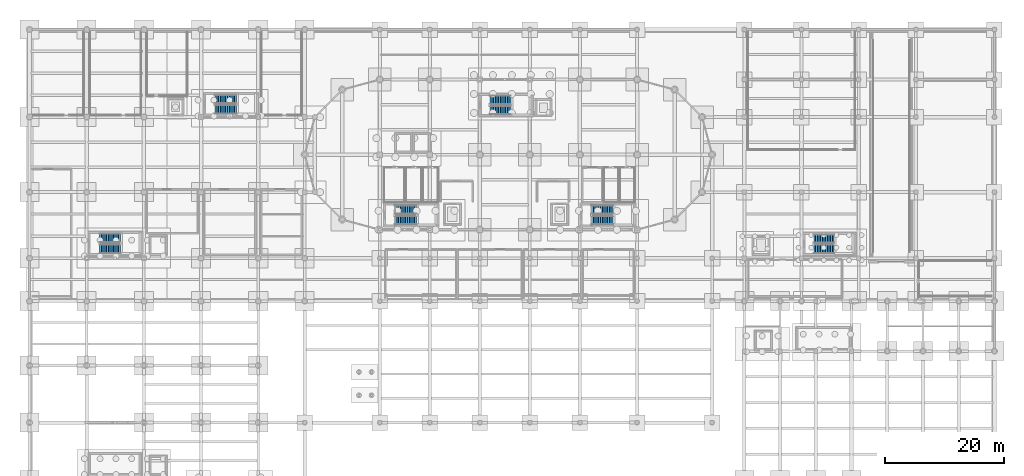
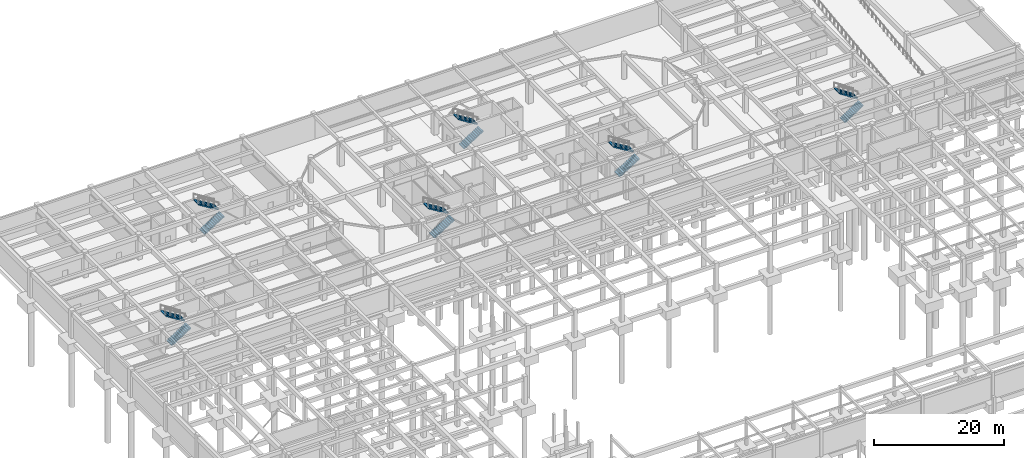
# One storey, part 29 of 37: 12 stair flights, 6 elements without a shape of their own.
"""IFC4 building model written with IfcOpenShell, lengths in metres."""

from ifc_helpers import new_model, si_unit, direction, frame, origin, place, context, subcontext, project, spatial, polyline, outline, extrude, material, type_object, element, aggregate, save


model = new_model("IFC4")

# Units and contexts
model_context = context("Model", 3, precision=1e-05, world=origin(), true_north=direction((0.0, 1.0)))
body_context = subcontext(model_context, "Body", "Model", "MODEL_VIEW")
ifc_project = project(units=[si_unit("LENGTHUNIT", "METRE"), si_unit("AREAUNIT", "SQUARE_METRE"), si_unit("VOLUMEUNIT", "CUBIC_METRE"), si_unit("PLANEANGLEUNIT", "RADIAN"), si_unit("MASSUNIT", "GRAM", prefix="KILO")], contexts=[model_context])

# Site, building, storey
site_placement = place(None, origin())
site = spatial("IfcSite", under=ifc_project, at=site_placement, CompositionType="ELEMENT")
building_placement = place(site_placement, origin())
building = spatial("IfcBuilding", under=site, at=building_placement, Name="Tarnavel Promenade Courthouse", CompositionType="ELEMENT")
storey_placement = place(building_placement, frame((0.0, 0.0, -4.800048828125)))
storey = spatial("IfcBuildingStorey", under=building, at=storey_placement, Name="B01", CompositionType="ELEMENT", Elevation=-4.800048828125)

# Stair, stair flights
ifc_material = material(Name="Concrete C35/45", Category="concrete")
stair_type_1 = type_object("IfcStairType", Name="Concrete C35/45 Half-Turn Stair STR-01 (1560W-300G-26R)", PredefinedType="HALF_TURN_STAIR", material=ifc_material)
stair_1_placement = place(storey_placement, origin())
stair_1 = element("IfcStair", 1, at=stair_1_placement, inside=storey, type_object=stair_type_1, Name="B01 West Bar Firefighting Exit Stair", PredefinedType="HALF_TURN_STAIR")
stair_flight_type_1 = type_object("IfcStairFlightType", Name="Concrete C35/45 Stair Flight STF-01 (1560W-300G-26R)", PredefinedType="STRAIGHT", material=ifc_material)
stair_flight_1_placement = place(storey_placement, frame((61.360107421875, 80.780029296875, 0.0), z_axis=(0.0, 0.0, 1.0), x_axis=(1.0, 0.0, 0.0)))
stair_flight_1 = element("IfcStairFlight", 2, at=stair_flight_1_placement, type_object=stair_flight_type_1, Name="ST-01 flight 1", NumberOfRisers=13, NumberOfTreads=12, PredefinedType="STRAIGHT", RiserHeight=0.184615385, TreadLength=0.3, context=body_context, shape_type="SweptSolid", body=[
    extrude(outline(polyline([(0.0, 0.0), (0.0, 0.1845703125), (0.300048828125, 0.1845703125), (0.300048828125, 0.369140625), (0.60009765625, 0.369140625), (0.60009765625, 0.553955078125), (0.89990234375, 0.553955078125), (0.89990234375, 0.738525390625), (1.199951171875, 0.738525390625), (1.199951171875, 0.923095703125), (1.5, 0.923095703125), (1.5, 1.107666015625), (1.800048828125, 1.107666015625), (1.800048828125, 1.292236328125), (2.10009765625, 1.292236328125), (2.10009765625, 1.476806640625), (2.39990234375, 1.476806640625), (2.39990234375, 1.66162109375), (2.699951171875, 1.66162109375), (2.699951171875, 1.84619140625), (3.0, 1.84619140625), (3.0, 2.03076171875), (3.300048828125, 2.03076171875), (3.300048828125, 2.21533203125), (3.60009765625, 2.21533203125), (3.60009765625, 2.39990234375), (3.60009765625, 2.039306640625), (0.2861328125, 0.0), (0.0, 0.0)])), frame((0.0, 0.780029296875, 0.0), z_axis=(0.0, -1.0, 0.0), x_axis=(1.0, 0.0, 0.0)), (0.0, 0.0, 1.0), 1.56005859375),
])
stair_flight_2_placement = place(storey_placement, frame((64.9599609375, 82.5400390625, 2.400146484375), z_axis=(0.0, 0.0, 1.0), x_axis=(-1.0, 0.0, 0.0)))
stair_flight_2 = element("IfcStairFlight", 3, at=stair_flight_2_placement, type_object=stair_flight_type_1, Name="ST-01 flight 2", NumberOfRisers=13, NumberOfTreads=12, PredefinedType="STRAIGHT", RiserHeight=0.184615385, TreadLength=0.3, context=body_context, shape_type="SweptSolid", body=[
    extrude(outline(polyline([(0.0, 0.0), (0.0, 0.1845703125), (0.300048828125, 0.1845703125), (0.300048828125, 0.369140625), (0.60009765625, 0.369140625), (0.60009765625, 0.553955078125), (0.89990234375, 0.553955078125), (0.89990234375, 0.738525390625), (1.199951171875, 0.738525390625), (1.199951171875, 0.923095703125), (1.5, 0.923095703125), (1.5, 1.107666015625), (1.800048828125, 1.107666015625), (1.800048828125, 1.292236328125), (2.10009765625, 1.292236328125), (2.10009765625, 1.476806640625), (2.39990234375, 1.476806640625), (2.39990234375, 1.66162109375), (2.699951171875, 1.66162109375), (2.699951171875, 1.84619140625), (3.0, 1.84619140625), (3.0, 2.03076171875), (3.300048828125, 2.03076171875), (3.300048828125, 2.21533203125), (3.60009765625, 2.21533203125), (3.60009765625, 2.39990234375), (3.60009765625, 2.039306640625), (0.2861328125, 0.0), (0.0, 0.0)])), frame((0.0, 0.780029296875, 0.0), z_axis=(0.0, -1.0, 0.0), x_axis=(1.0, 0.0, 0.0)), (0.0, 0.0, 1.0), 1.56005859375),
])
aggregate(stair_1, [stair_flight_1, stair_flight_2])

stair_2_placement = place(storey_placement, origin())
stair_2 = element("IfcStair", 4, at=stair_2_placement, inside=storey, type_object=stair_type_1, Name="B01 East Bar Firefighting Exit Stair", PredefinedType="HALF_TURN_STAIR")
stair_flight_3_placement = place(storey_placement, frame((94.360107421875, 80.780029296875, 0.0), z_axis=(0.0, 0.0, 1.0), x_axis=(1.0, 0.0, 0.0)))
stair_flight_3 = element("IfcStairFlight", 5, at=stair_flight_3_placement, type_object=stair_flight_type_1, Name="ST-02 flight 1", NumberOfRisers=13, NumberOfTreads=12, PredefinedType="STRAIGHT", RiserHeight=0.184615385, TreadLength=0.3, context=body_context, shape_type="SweptSolid", body=[
    extrude(outline(polyline([(0.0, 0.0), (0.0, 0.1845703125), (0.300048828125, 0.1845703125), (0.300048828125, 0.369140625), (0.60009765625, 0.369140625), (0.60009765625, 0.553955078125), (0.89990234375, 0.553955078125), (0.89990234375, 0.738525390625), (1.199951171875, 0.738525390625), (1.199951171875, 0.923095703125), (1.5, 0.923095703125), (1.5, 1.107666015625), (1.800048828125, 1.107666015625), (1.800048828125, 1.292236328125), (2.10009765625, 1.292236328125), (2.10009765625, 1.476806640625), (2.39990234375, 1.476806640625), (2.39990234375, 1.66162109375), (2.699951171875, 1.66162109375), (2.699951171875, 1.84619140625), (3.0, 1.84619140625), (3.0, 2.03076171875), (3.300048828125, 2.03076171875), (3.300048828125, 2.21533203125), (3.60009765625, 2.21533203125), (3.60009765625, 2.39990234375), (3.60009765625, 2.039306640625), (0.2861328125, 0.0), (0.0, 0.0)])), frame((0.0, 0.780029296875, 0.0), z_axis=(0.0, -1.0, 0.0), x_axis=(1.0, 0.0, 0.0)), (0.0, 0.0, 1.0), 1.56005859375),
])
stair_flight_4_placement = place(storey_placement, frame((97.9599609375, 82.5400390625, 2.400146484375), z_axis=(0.0, 0.0, 1.0), x_axis=(-1.0, 0.0, 0.0)))
stair_flight_4 = element("IfcStairFlight", 6, at=stair_flight_4_placement, type_object=stair_flight_type_1, Name="ST-02 flight 2", NumberOfRisers=13, NumberOfTreads=12, PredefinedType="STRAIGHT", RiserHeight=0.184615385, TreadLength=0.3, context=body_context, shape_type="SweptSolid", body=[
    extrude(outline(polyline([(0.0, 0.0), (0.0, 0.1845703125), (0.300048828125, 0.1845703125), (0.300048828125, 0.369140625), (0.60009765625, 0.369140625), (0.60009765625, 0.553955078125), (0.89990234375, 0.553955078125), (0.89990234375, 0.738525390625), (1.199951171875, 0.738525390625), (1.199951171875, 0.923095703125), (1.5, 0.923095703125), (1.5, 1.107666015625), (1.800048828125, 1.107666015625), (1.800048828125, 1.292236328125), (2.10009765625, 1.292236328125), (2.10009765625, 1.476806640625), (2.39990234375, 1.476806640625), (2.39990234375, 1.66162109375), (2.699951171875, 1.66162109375), (2.699951171875, 1.84619140625), (3.0, 1.84619140625), (3.0, 2.03076171875), (3.300048828125, 2.03076171875), (3.300048828125, 2.21533203125), (3.60009765625, 2.21533203125), (3.60009765625, 2.39990234375), (3.60009765625, 2.039306640625), (0.2861328125, 0.0), (0.0, 0.0)])), frame((0.0, 0.780029296875, 0.0), z_axis=(0.0, -1.0, 0.0), x_axis=(1.0, 0.0, 0.0)), (0.0, 0.0, 1.0), 1.56005859375),
])
aggregate(stair_2, [stair_flight_3, stair_flight_4])

stair_type_2 = type_object("IfcStairType", Name="Concrete C35/45 Half-Turn Stair STR-04 (1520W-290G-26R)", PredefinedType="HALF_TURN_STAIR", material=ifc_material)
stair_3_placement = place(storey_placement, origin())
stair_3 = element("IfcStair", 7, at=stair_3_placement, inside=storey, type_object=stair_type_2, Name="B01 Central Judicial Chambers Exit Stair", PredefinedType="HALF_TURN_STAIR")
stair_flight_type_2 = type_object("IfcStairFlightType", Name="Concrete C35/45 Stair Flight STF-04 (1520W-290G-26R)", PredefinedType="STRAIGHT", material=ifc_material)
stair_flight_5_placement = place(storey_placement, frame((77.320068359375, 99.260009765625, 0.0), z_axis=(0.0, 0.0, 1.0), x_axis=(1.0, 0.0, 0.0)))
stair_flight_5 = element("IfcStairFlight", 8, at=stair_flight_5_placement, type_object=stair_flight_type_2, Name="ST-03 flight 1", NumberOfRisers=13, NumberOfTreads=12, PredefinedType="STRAIGHT", RiserHeight=0.184615385, TreadLength=0.29, context=body_context, shape_type="SweptSolid", body=[
    extrude(outline(polyline([(0.0, 0.0), (0.0, 0.1845703125), (0.2900390625, 0.1845703125), (0.2900390625, 0.369140625), (0.580078125, 0.369140625), (0.580078125, 0.553955078125), (0.8701171875, 0.553955078125), (0.8701171875, 0.738525390625), (1.159912109375, 0.738525390625), (1.159912109375, 0.923095703125), (1.449951171875, 0.923095703125), (1.449951171875, 1.107666015625), (1.739990234375, 1.107666015625), (1.739990234375, 1.292236328125), (2.030029296875, 1.292236328125), (2.030029296875, 1.476806640625), (2.320068359375, 1.476806640625), (2.320068359375, 1.66162109375), (2.610107421875, 1.66162109375), (2.610107421875, 1.84619140625), (2.89990234375, 1.84619140625), (2.89990234375, 2.03076171875), (3.18994140625, 2.03076171875), (3.18994140625, 2.21533203125), (3.47998046875, 2.21533203125), (3.47998046875, 2.39990234375), (3.47998046875, 2.03759765625), (0.279052734375, 0.0), (0.0, 0.0)])), frame((0.0, 0.760009765625, 0.0), z_axis=(0.0, -1.0, 0.0), x_axis=(1.0, 0.0, 0.0)), (0.0, 0.0, 1.0), 1.52001953125),
])
stair_flight_6_placement = place(storey_placement, frame((80.800048828125, 100.97998046875, 2.400146484375), z_axis=(0.0, 0.0, 1.0), x_axis=(-1.0, 0.0, 0.0)))
stair_flight_6 = element("IfcStairFlight", 9, at=stair_flight_6_placement, type_object=stair_flight_type_2, Name="ST-03 flight 2", NumberOfRisers=13, NumberOfTreads=12, PredefinedType="STRAIGHT", RiserHeight=0.184615385, TreadLength=0.29, context=body_context, shape_type="SweptSolid", body=[
    extrude(outline(polyline([(0.0, 0.0), (0.0, 0.1845703125), (0.2900390625, 0.1845703125), (0.2900390625, 0.369140625), (0.580078125, 0.369140625), (0.580078125, 0.553955078125), (0.8701171875, 0.553955078125), (0.8701171875, 0.738525390625), (1.159912109375, 0.738525390625), (1.159912109375, 0.923095703125), (1.449951171875, 0.923095703125), (1.449951171875, 1.107666015625), (1.739990234375, 1.107666015625), (1.739990234375, 1.292236328125), (2.030029296875, 1.292236328125), (2.030029296875, 1.476806640625), (2.320068359375, 1.476806640625), (2.320068359375, 1.66162109375), (2.610107421875, 1.66162109375), (2.610107421875, 1.84619140625), (2.89990234375, 1.84619140625), (2.89990234375, 2.03076171875), (3.18994140625, 2.03076171875), (3.18994140625, 2.21533203125), (3.47998046875, 2.21533203125), (3.47998046875, 2.39990234375), (3.47998046875, 2.03759765625), (0.279052734375, 0.0), (0.0, 0.0)])), frame((0.0, 0.760009765625, 0.0), z_axis=(0.0, -1.0, 0.0), x_axis=(1.0, 0.0, 0.0)), (0.0, 0.0, 1.0), 1.52001953125),
])
aggregate(stair_3, [stair_flight_5, stair_flight_6])

stair_type_3 = type_object("IfcStairType", Name="Concrete C35/45 Half-Turn Stair STR-07 (1580W-290G-26R)", PredefinedType="HALF_TURN_STAIR", material=ifc_material)
stair_4_placement = place(storey_placement, origin())
stair_4 = element("IfcStair", 10, at=stair_4_placement, inside=storey, type_object=stair_type_3, Name="B01 Trial Courts West Exit Stair", PredefinedType="HALF_TURN_STAIR")
stair_flight_type_3 = type_object("IfcStairFlightType", Name="Concrete C35/45 Stair Flight STF-07 (1580W-290G-26R)", PredefinedType="STRAIGHT", material=ifc_material)
stair_flight_7_placement = place(storey_placement, frame((11.780029296875, 75.989990234375, 0.0), z_axis=(0.0, 0.0, 1.0), x_axis=(1.0, 0.0, 0.0)))
stair_flight_7 = element("IfcStairFlight", 11, at=stair_flight_7_placement, type_object=stair_flight_type_3, Name="ST-04 flight 1", NumberOfRisers=13, NumberOfTreads=12, PredefinedType="STRAIGHT", RiserHeight=0.184615385, TreadLength=0.29, context=body_context, shape_type="SweptSolid", body=[
    extrude(outline(polyline([(0.0, 0.0), (0.0, 0.1845703125), (0.2900390625, 0.1845703125), (0.2900390625, 0.369140625), (0.580078125, 0.369140625), (0.580078125, 0.553955078125), (0.8701171875, 0.553955078125), (0.8701171875, 0.738525390625), (1.159912109375, 0.738525390625), (1.159912109375, 0.923095703125), (1.449951171875, 0.923095703125), (1.449951171875, 1.107666015625), (1.739990234375, 1.107666015625), (1.739990234375, 1.292236328125), (2.030029296875, 1.292236328125), (2.030029296875, 1.476806640625), (2.320068359375, 1.476806640625), (2.320068359375, 1.66162109375), (2.610107421875, 1.66162109375), (2.610107421875, 1.84619140625), (2.89990234375, 1.84619140625), (2.89990234375, 2.03076171875), (3.18994140625, 2.03076171875), (3.18994140625, 2.21533203125), (3.47998046875, 2.21533203125), (3.47998046875, 2.39990234375), (3.47998046875, 2.03759765625), (0.279052734375, 0.0), (0.0, 0.0)])), frame((0.0, 0.7900390625, 0.0), z_axis=(0.0, -1.0, 0.0), x_axis=(1.0, 0.0, 0.0)), (0.0, 0.0, 1.0), 1.580078125),
])
stair_flight_8_placement = place(storey_placement, frame((15.260009765625, 77.77001953125, 2.400146484375), z_axis=(0.0, 0.0, 1.0), x_axis=(-1.0, 0.0, 0.0)))
stair_flight_8 = element("IfcStairFlight", 12, at=stair_flight_8_placement, type_object=stair_flight_type_3, Name="ST-04 flight 2", NumberOfRisers=13, NumberOfTreads=12, PredefinedType="STRAIGHT", RiserHeight=0.184615385, TreadLength=0.29, context=body_context, shape_type="SweptSolid", body=[
    extrude(outline(polyline([(0.0, 0.0), (0.0, 0.1845703125), (0.2900390625, 0.1845703125), (0.2900390625, 0.369140625), (0.580078125, 0.369140625), (0.580078125, 0.553955078125), (0.8701171875, 0.553955078125), (0.8701171875, 0.738525390625), (1.159912109375, 0.738525390625), (1.159912109375, 0.923095703125), (1.449951171875, 0.923095703125), (1.449951171875, 1.107666015625), (1.739990234375, 1.107666015625), (1.739990234375, 1.292236328125), (2.030029296875, 1.292236328125), (2.030029296875, 1.476806640625), (2.320068359375, 1.476806640625), (2.320068359375, 1.66162109375), (2.610107421875, 1.66162109375), (2.610107421875, 1.84619140625), (2.89990234375, 1.84619140625), (2.89990234375, 2.03076171875), (3.18994140625, 2.03076171875), (3.18994140625, 2.21533203125), (3.47998046875, 2.21533203125), (3.47998046875, 2.39990234375), (3.47998046875, 2.03759765625), (0.279052734375, 0.0), (0.0, 0.0)])), frame((0.0, 0.7900390625, 0.0), z_axis=(0.0, -1.0, 0.0), x_axis=(1.0, 0.0, 0.0)), (0.0, 0.0, 1.0), 1.580078125),
])
aggregate(stair_4, [stair_flight_7, stair_flight_8])

stair_type_4 = type_object("IfcStairType", Name="Concrete C35/45 Half-Turn Stair STR-10 (1540W-300G-26R)", PredefinedType="HALF_TURN_STAIR", material=ifc_material)
stair_5_placement = place(storey_placement, origin())
stair_5 = element("IfcStair", 13, at=stair_5_placement, inside=storey, type_object=stair_type_4, Name="B01 Trial Courts North Exit Stair", PredefinedType="HALF_TURN_STAIR")
stair_flight_type_4 = type_object("IfcStairFlightType", Name="Concrete C35/45 Stair Flight STF-10 (1540W-300G-26R)", PredefinedType="STRAIGHT", material=ifc_material)
stair_flight_9_placement = place(storey_placement, frame((31.139892578125, 99.3701171875, 0.0), z_axis=(0.0, 0.0, 1.0), x_axis=(1.0, 0.0, 0.0)))
stair_flight_9 = element("IfcStairFlight", 14, at=stair_flight_9_placement, type_object=stair_flight_type_4, Name="ST-07 flight 1", NumberOfRisers=13, NumberOfTreads=12, PredefinedType="STRAIGHT", RiserHeight=0.184615385, TreadLength=0.3, context=body_context, shape_type="SweptSolid", body=[
    extrude(outline(polyline([(0.0, 0.0), (0.0, 0.1845703125), (0.300048828125, 0.1845703125), (0.300048828125, 0.369140625), (0.60009765625, 0.369140625), (0.60009765625, 0.553955078125), (0.89990234375, 0.553955078125), (0.89990234375, 0.738525390625), (1.199951171875, 0.738525390625), (1.199951171875, 0.923095703125), (1.5, 0.923095703125), (1.5, 1.107666015625), (1.800048828125, 1.107666015625), (1.800048828125, 1.292236328125), (2.10009765625, 1.292236328125), (2.10009765625, 1.476806640625), (2.39990234375, 1.476806640625), (2.39990234375, 1.66162109375), (2.699951171875, 1.66162109375), (2.699951171875, 1.84619140625), (3.0, 1.84619140625), (3.0, 2.03076171875), (3.300048828125, 2.03076171875), (3.300048828125, 2.21533203125), (3.60009765625, 2.21533203125), (3.60009765625, 2.39990234375), (3.60009765625, 2.039306640625), (0.2861328125, 0.0), (0.0, 0.0)])), frame((0.0, 0.77001953125, 0.0), z_axis=(0.0, -1.0, 0.0), x_axis=(1.0, 0.0, 0.0)), (0.0, 0.0, 1.0), 1.5400390625),
])
stair_flight_10_placement = place(storey_placement, frame((34.739990234375, 101.110107421875, 2.400146484375), z_axis=(0.0, 0.0, 1.0), x_axis=(-1.0, 0.0, 0.0)))
stair_flight_10 = element("IfcStairFlight", 15, at=stair_flight_10_placement, type_object=stair_flight_type_4, Name="ST-07 flight 2", NumberOfRisers=13, NumberOfTreads=12, PredefinedType="STRAIGHT", RiserHeight=0.184615385, TreadLength=0.3, context=body_context, shape_type="SweptSolid", body=[
    extrude(outline(polyline([(0.0, 0.0), (0.0, 0.1845703125), (0.300048828125, 0.1845703125), (0.300048828125, 0.369140625), (0.60009765625, 0.369140625), (0.60009765625, 0.553955078125), (0.89990234375, 0.553955078125), (0.89990234375, 0.738525390625), (1.199951171875, 0.738525390625), (1.199951171875, 0.923095703125), (1.5, 0.923095703125), (1.5, 1.107666015625), (1.800048828125, 1.107666015625), (1.800048828125, 1.292236328125), (2.10009765625, 1.292236328125), (2.10009765625, 1.476806640625), (2.39990234375, 1.476806640625), (2.39990234375, 1.66162109375), (2.699951171875, 1.66162109375), (2.699951171875, 1.84619140625), (3.0, 1.84619140625), (3.0, 2.03076171875), (3.300048828125, 2.03076171875), (3.300048828125, 2.21533203125), (3.60009765625, 2.21533203125), (3.60009765625, 2.39990234375), (3.60009765625, 2.039306640625), (0.2861328125, 0.0), (0.0, 0.0)])), frame((0.0, 0.77001953125, 0.0), z_axis=(0.0, -1.0, 0.0), x_axis=(1.0, 0.0, 0.0)), (0.0, 0.0, 1.0), 1.5400390625),
])
aggregate(stair_5, [stair_flight_9, stair_flight_10])

stair_type_5 = type_object("IfcStairType", Name="Concrete C35/45 Half-Turn Stair STR-15 (1500W-280G-26R)", PredefinedType="HALF_TURN_STAIR", material=ifc_material)
stair_6_placement = place(storey_placement, origin())
stair_6 = element("IfcStair", 16, at=stair_6_placement, inside=storey, type_object=stair_type_5, Name="B01 Custody Suite Protected Exit Stair", PredefinedType="HALF_TURN_STAIR")
stair_flight_type_5 = type_object("IfcStairFlightType", Name="Concrete C35/45 Stair Flight STF-15 (1500W-280G-26R)", PredefinedType="STRAIGHT", material=ifc_material)
stair_flight_11_placement = place(storey_placement, frame((131.699951171875, 75.949951171875, 0.0), z_axis=(0.0, 0.0, 1.0), x_axis=(1.0, 0.0, 0.0)))
stair_flight_11 = element("IfcStairFlight", 17, at=stair_flight_11_placement, type_object=stair_flight_type_5, Name="ST-06 flight 1", NumberOfRisers=13, NumberOfTreads=12, PredefinedType="STRAIGHT", RiserHeight=0.184615385, TreadLength=0.28, context=body_context, shape_type="SweptSolid", body=[
    extrude(outline(polyline([(0.0, 0.0), (0.0, 0.1845703125), (0.280029296875, 0.1845703125), (0.280029296875, 0.369140625), (0.56005859375, 0.369140625), (0.56005859375, 0.553955078125), (0.840087890625, 0.553955078125), (0.840087890625, 0.738525390625), (1.1201171875, 0.738525390625), (1.1201171875, 0.923095703125), (1.39990234375, 0.923095703125), (1.39990234375, 1.107666015625), (1.679931640625, 1.107666015625), (1.679931640625, 1.292236328125), (1.9599609375, 1.292236328125), (1.9599609375, 1.476806640625), (2.239990234375, 1.476806640625), (2.239990234375, 1.66162109375), (2.52001953125, 1.66162109375), (2.52001953125, 1.84619140625), (2.800048828125, 1.84619140625), (2.800048828125, 2.03076171875), (3.080078125, 2.03076171875), (3.080078125, 2.21533203125), (3.360107421875, 2.21533203125), (3.360107421875, 2.39990234375), (3.360107421875, 2.035888671875), (0.272216796875, 0.0), (0.0, 0.0)])), frame((0.0, 0.75, 0.0), z_axis=(0.0, -1.0, 0.0), x_axis=(1.0, 0.0, 0.0)), (0.0, 0.0, 1.0), 1.5),
])
stair_flight_12_placement = place(storey_placement, frame((135.06005859375, 77.64990234375, 2.400146484375), z_axis=(0.0, 0.0, 1.0), x_axis=(-1.0, 0.0, 0.0)))
stair_flight_12 = element("IfcStairFlight", 18, at=stair_flight_12_placement, type_object=stair_flight_type_5, Name="ST-06 flight 2", NumberOfRisers=13, NumberOfTreads=12, PredefinedType="STRAIGHT", RiserHeight=0.184615385, TreadLength=0.28, context=body_context, shape_type="SweptSolid", body=[
    extrude(outline(polyline([(0.0, 0.0), (0.0, 0.1845703125), (0.280029296875, 0.1845703125), (0.280029296875, 0.369140625), (0.56005859375, 0.369140625), (0.56005859375, 0.553955078125), (0.840087890625, 0.553955078125), (0.840087890625, 0.738525390625), (1.1201171875, 0.738525390625), (1.1201171875, 0.923095703125), (1.39990234375, 0.923095703125), (1.39990234375, 1.107666015625), (1.679931640625, 1.107666015625), (1.679931640625, 1.292236328125), (1.9599609375, 1.292236328125), (1.9599609375, 1.476806640625), (2.239990234375, 1.476806640625), (2.239990234375, 1.66162109375), (2.52001953125, 1.66162109375), (2.52001953125, 1.84619140625), (2.800048828125, 1.84619140625), (2.800048828125, 2.03076171875), (3.080078125, 2.03076171875), (3.080078125, 2.21533203125), (3.360107421875, 2.21533203125), (3.360107421875, 2.39990234375), (3.360107421875, 2.035888671875), (0.272216796875, 0.0), (0.0, 0.0)])), frame((0.0, 0.75, 0.0), z_axis=(0.0, -1.0, 0.0), x_axis=(1.0, 0.0, 0.0)), (0.0, 0.0, 1.0), 1.5),
])
aggregate(stair_6, [stair_flight_11, stair_flight_12])

save(model, "model.ifc")
